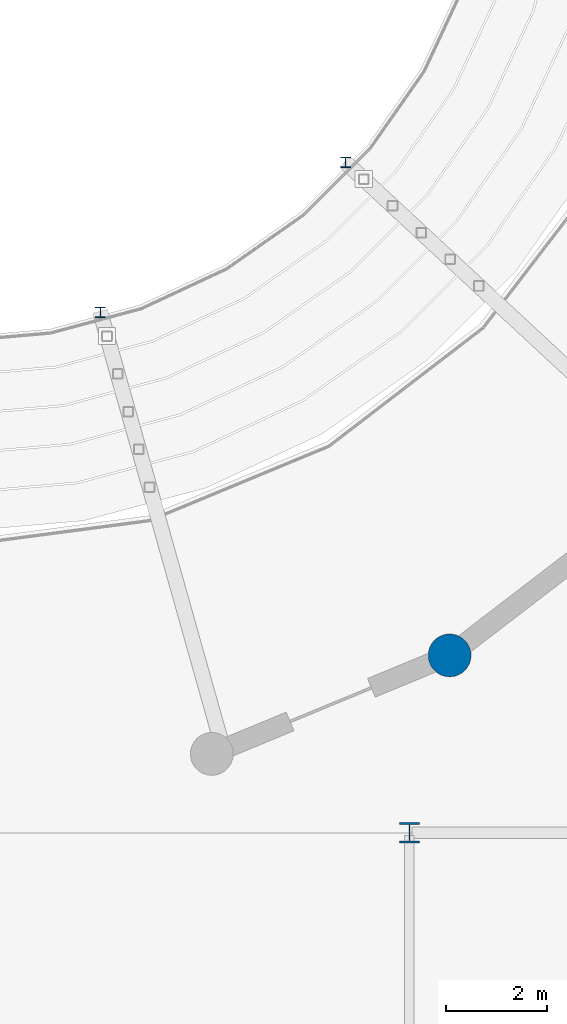
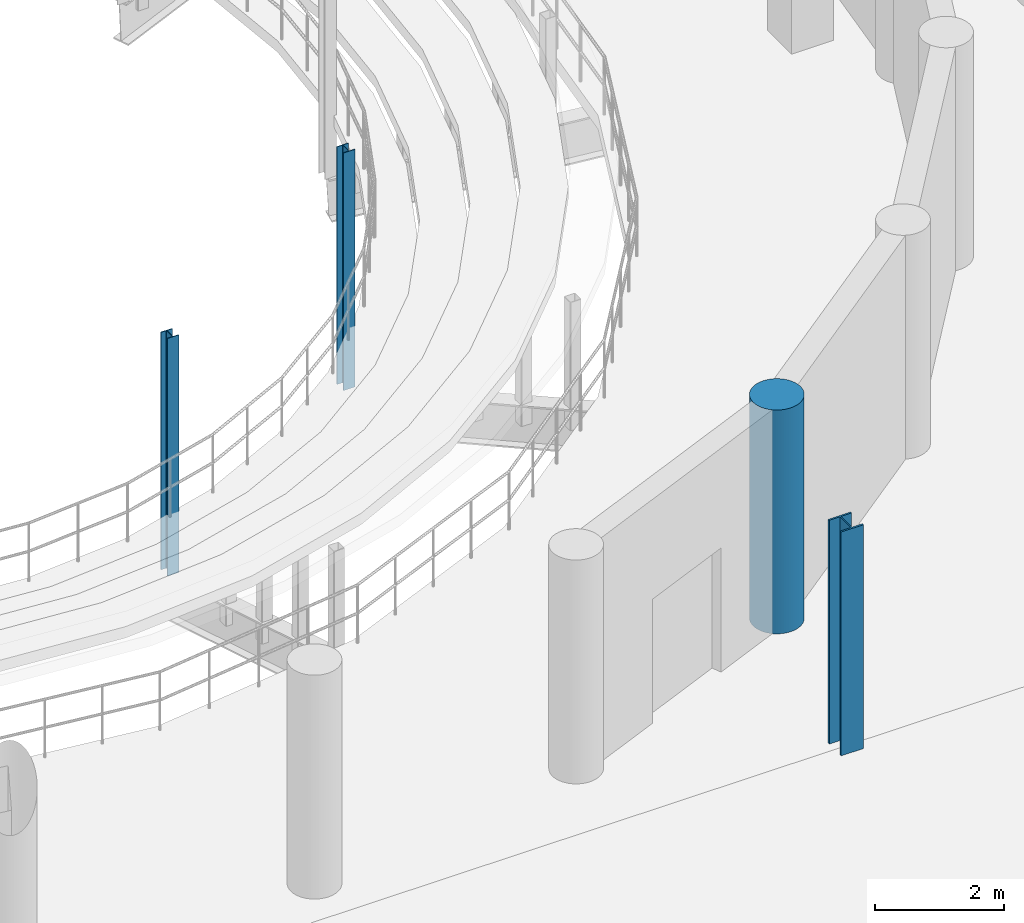
# One storey, part 8 of 85: 4 columns.
"""IFC4 building model written with IfcOpenShell, lengths in metres."""

from ifc_helpers import new_model, si_unit, direction, frame, origin, origin_2d, place, context, subcontext, project, spatial, circle, i_section, extrude, material, material_profile, profile_set, type_object, element, save


model = new_model("IFC4")

# Units and contexts
model_context = context("Model", 3, precision=1e-05, world=origin(), true_north=direction((0.0, 1.0)))
body_context = subcontext(model_context, "Body", "Model", "MODEL_VIEW")
ifc_project = project(units=[si_unit("LENGTHUNIT", "METRE"), si_unit("AREAUNIT", "SQUARE_METRE"), si_unit("VOLUMEUNIT", "CUBIC_METRE"), si_unit("PLANEANGLEUNIT", "RADIAN"), si_unit("MASSUNIT", "GRAM", prefix="KILO")], contexts=[model_context])

# Site, building, storey
site_placement = place(None, origin())
site = spatial("IfcSite", under=ifc_project, at=site_placement, CompositionType="ELEMENT")
building_placement = place(site_placement, origin())
building = spatial("IfcBuilding", under=site, at=building_placement, Name="Marnock Terrace Opera House", CompositionType="ELEMENT")
storey_placement = place(building_placement, frame((0.0, 0.0, 10.199951171875)))
storey = spatial("IfcBuildingStorey", under=building, at=storey_placement, Name="L02", CompositionType="ELEMENT", Elevation=10.199951171875)

# Columns
ifc_material_1 = material(Name="Concrete N50 (f'c = 50 MPa)", Category="concrete")
ifc_material_profile_1 = material_profile(ifc_material_1, circle(Radius=0.425048828125, at=origin_2d()))
ifc_profile_set_1 = profile_set([ifc_material_profile_1], Name="Concrete N50 (f'c = 50 MPa)")
column_type_1 = type_object("IfcColumnType", Name="COL-DRUM-850", PredefinedType="COLUMN", material=ifc_profile_set_1)
column_1_placement = place(storey_placement, frame((91.800048828125, 43.52587890625, 0.0), z_axis=(0.0, 0.0, 1.0), x_axis=(1.0, 0.0, 0.0)))
element("IfcColumn", 1, at=column_1_placement, inside=storey, type_object=column_type_1, Name="L02 auditorium drum pier 21", PredefinedType="COLUMN", context=body_context, shape_type="SweptSolid", body=[
    extrude(circle(Radius=0.425048828125, at=origin_2d()), origin(), (0.0, 0.0, 1.0), 4.239990234375),
])
ifc_material_2 = material(Name="Steel Grade 350 (AS/NZS 3679.1)", Category="steel")
ifc_material_profile_2 = material_profile(ifc_material_2, i_section(OverallWidth=0.205078125, OverallDepth=0.209716796875, WebThickness=0.00927734375, FlangeThickness=0.01416015625, FilletRadius=0.011474609375, at=origin_2d()))
ifc_profile_set_2 = profile_set([ifc_material_profile_2], Name="Steel Grade 350 (AS/NZS 3679.1)")
column_type_2 = type_object("IfcColumnType", Name="COL-UC200", PredefinedType="COLUMN", material=ifc_profile_set_2)
for number, where, z_axis, x_axis, name in (
    (2, (84.857421875, 50.34423828125, -0.81005859375), (0.0, 0.0, 1.0), (1.0, 0.0, 0.0), "L02 Auditorium balcony-front column 5"),
    (3, (89.733642578125, 53.32421875, -0.81005859375), (0.0, 0.0, 1.0), (1.0, 0.0, 0.0), "L02 Auditorium balcony-front column 6"),
):
    element("IfcColumn", number, at=place(storey_placement, frame(where, z_axis=z_axis, x_axis=x_axis)), inside=storey, type_object=column_type_2, Name=name, PredefinedType="COLUMN", context=body_context, shape_type="SweptSolid", body=[
        extrude(i_section(OverallWidth=0.205078125, OverallDepth=0.209716796875, WebThickness=0.00927734375, FlangeThickness=0.01416015625, FilletRadius=0.011474609375, at=origin_2d()), origin(), (0.0, 0.0, 1.0), 4.5),
    ])
ifc_material_3 = material(Name="Steel Grade 350 Welded (AS/NZS 3679.2)", Category="steel")
ifc_material_profile_3 = material_profile(ifc_material_3, i_section(OverallWidth=0.39990234375, OverallDepth=0.39990234375, WebThickness=0.02001953125, FlangeThickness=0.031982421875, at=origin_2d()))
ifc_profile_set_3 = profile_set([ifc_material_profile_3], Name="Steel Grade 350 Welded (AS/NZS 3679.2)")
column_type_3 = type_object("IfcColumnType", Name="COL-WC400", PredefinedType="COLUMN", material=ifc_profile_set_3)
column_2_placement = place(storey_placement, frame((91.0, 40.0, 0.0), z_axis=(0.0, 0.0, 1.0), x_axis=(1.0, 0.0, 0.0)))
element("IfcColumn", 4, at=column_2_placement, inside=storey, type_object=column_type_3, Name="L02 column at (91.0, 40.0)", PredefinedType="COLUMN", context=body_context, shape_type="SweptSolid", body=[
    extrude(i_section(OverallWidth=0.39990234375, OverallDepth=0.39990234375, WebThickness=0.02001953125, FlangeThickness=0.031982421875, at=origin_2d()), origin(), (0.0, 0.0, 1.0), 4.239990234375),
])

save(model, "model.ifc")
